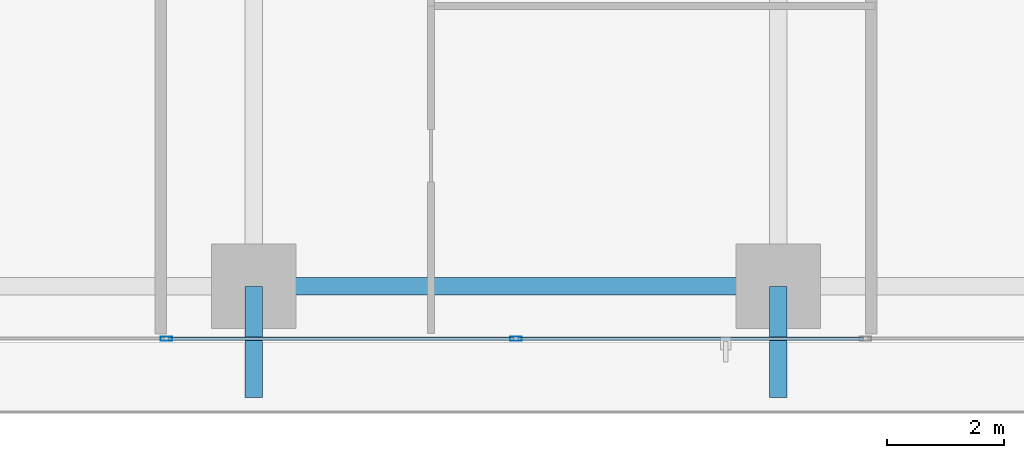
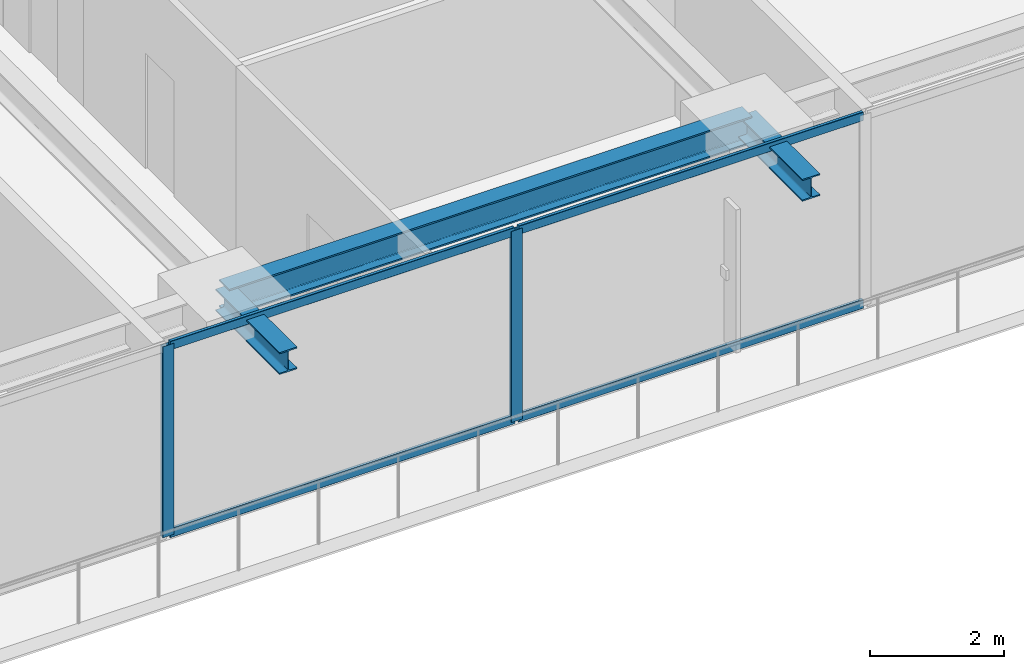
# One storey, part 5 of 38: 6 members, 3 beams, 1 element without a shape of its own.
"""IFC4 building model written with IfcOpenShell, lengths in metres."""

from ifc_helpers import new_model, si_unit, direction, frame, origin, origin_2d, place, context, subcontext, project, spatial, hollow_rectangle, i_section, extrude, source, transform, mapped, material, layer, layer_set, material_profile, profile_set, type_object, element, aggregate, save


model = new_model("IFC4")

# Units and contexts
model_context = context("Model", 3, precision=1e-05, world=origin(), true_north=direction((0.0, 1.0)))
body_context = subcontext(model_context, "Body", "Model", "MODEL_VIEW")
ifc_project = project(units=[si_unit("LENGTHUNIT", "METRE"), si_unit("AREAUNIT", "SQUARE_METRE"), si_unit("VOLUMEUNIT", "CUBIC_METRE"), si_unit("PLANEANGLEUNIT", "RADIAN"), si_unit("MASSUNIT", "GRAM", prefix="KILO")], contexts=[model_context])

# Site, building, storey
site_placement = place(None, origin())
site = spatial("IfcSite", under=ifc_project, at=site_placement, CompositionType="ELEMENT")
building_placement = place(site_placement, origin())
building = spatial("IfcBuilding", under=site, at=building_placement, Name="Serunith Strait Residences", CompositionType="ELEMENT")
storey_placement = place(building_placement, frame((0.0, 0.0, 30.449951171875)))
storey = spatial("IfcBuildingStorey", under=building, at=storey_placement, Name="L06", CompositionType="ELEMENT", Elevation=30.449951171875)

# Beams
ifc_material_1 = material(Name="Steel S355J2", Category="steel")
ifc_material_profile_1 = material_profile(ifc_material_1, i_section(OverallWidth=0.300048828125, OverallDepth=0.5, WebThickness=0.014404296875, FlangeThickness=0.028076171875, FilletRadius=0.027099609375, at=origin_2d()), Name="HEB 500")
ifc_profile_set_1 = profile_set([ifc_material_profile_1], Name="Steel S355J2")
beam_type_1 = type_object("IfcBeamType", Name="BM-HEB500", PredefinedType="BEAM", material=ifc_profile_set_1)
shared_shape_1 = source(origin(), body_context, "Body", "SweptSolid", [
    extrude(i_section(OverallWidth=0.300048828125, OverallDepth=0.5, WebThickness=0.014404296875, FlangeThickness=0.028076171875, FilletRadius=0.027099609375, at=origin_2d()), origin(), (0.0, 0.0, 1.0), 9.0),
])
beam_placement = place(storey_placement, frame((27.89990234375, 1.10009765625, 3.237060546875), z_axis=(1.0, 0.0, 0.0), x_axis=(0.0, 1.0, 0.0)))
element("IfcBeam", 1, at=beam_placement, inside=storey, type_object=beam_type_1, Name="L06 Perimeter Ring Beam 02", PredefinedType="BEAM", context=body_context, shape_type="MappedRepresentation", body=[
    mapped(shared_shape_1, transform((0.0, 0.0, 0.0), scale=1.0)),
])
ifc_material_profile_2 = material_profile(ifc_material_1, i_section(OverallWidth=0.300048828125, OverallDepth=0.39990234375, WebThickness=0.013427734375, FlangeThickness=0.02392578125, FilletRadius=0.027099609375, at=origin_2d()), Name="HEB 400")
ifc_profile_set_2 = profile_set([ifc_material_profile_2], Name="Steel S355J2")
beam_type_2 = type_object("IfcBeamType", Name="BM-HEB400", PredefinedType="BEAM", material=ifc_profile_set_2)
shared_shape_2 = source(origin(), body_context, "Body", "SweptSolid", [
    extrude(i_section(OverallWidth=0.300048828125, OverallDepth=0.39990234375, WebThickness=0.013427734375, FlangeThickness=0.02392578125, FilletRadius=0.027099609375, at=origin_2d()), origin(), (0.0, 0.0, 1.0), 1.91015625),
])
for number, where, z_axis, x_axis, name in (
    (2, (27.89990234375, 1.10009765625, 3.257080078125), (0.0, -1.0, 0.0), (1.0, 0.0, 0.0), "L07 Cantilevered Balcony Rib TC-S2"),
    (3, (36.89990234375, 1.10009765625, 3.257080078125), (0.0, -1.0, 0.0), (1.0, 0.0, 0.0), "L07 Cantilevered Balcony Rib TC-S3"),
):
    element("IfcBeam", number, at=place(storey_placement, frame(where, z_axis=z_axis, x_axis=x_axis)), inside=storey, type_object=beam_type_2, Name=name, PredefinedType="BEAM", context=body_context, shape_type="MappedRepresentation", body=[
        mapped(shared_shape_2, transform((0.0, 0.0, 0.0), scale=1.0)),
    ])

# Curtain wall, members
ifc_material_2 = material(Name="Pale-Champagne Anodised Aluminium", Category="aluminium")
ifc_layer = layer(ifc_material_2, 0.199951171875, Name="Pale-Champagne Anodised Aluminium")
ifc_layer_set = layer_set([ifc_layer], Name="Pale-Champagne Anodised Aluminium")
curtain_wall_type = type_object("IfcCurtainWallType", Name="CW-SYS1", PredefinedType="NOTDEFINED", material=ifc_layer_set)
curtain_wall_placement = place(storey_placement, origin())
curtain_wall = element("IfcCurtainWall", 4, at=curtain_wall_placement, inside=storey, type_object=curtain_wall_type, Name="L06 S Unitised Fritted Curtain Wall", PredefinedType="NOTDEFINED")
ifc_material_profile_3 = material_profile(ifc_material_2, hollow_rectangle(XDim=0.070068359375, YDim=0.199951171875, WallThickness=0.00390625, InnerFilletRadius=0.006103515625, OuterFilletRadius=0.010009765625, at=origin_2d()), Name="ALU 200x70x4")
ifc_profile_set_3 = profile_set([ifc_material_profile_3], Name="Pale-Champagne Anodised Aluminium")
member_type_1 = type_object("IfcMemberType", Name="CW-SYS1-MULL", PredefinedType="MULLION", material=ifc_profile_set_3)
shared_shape_3 = source(origin(), body_context, "Body", "SweptSolid", [
    extrude(hollow_rectangle(XDim=0.070068359375, YDim=0.199951171875, WallThickness=0.00390625, InnerFilletRadius=0.006103515625, OuterFilletRadius=0.010009765625, at=origin_2d()), origin(), (0.0, 0.0, 1.0), 3.47509765625),
])
member_1_placement = place(storey_placement, frame((26.39990234375, 0.199951171875, 0.0), z_axis=(0.0, 0.0, 1.0), x_axis=(0.0, 1.0, 0.0)))
member_1 = element("IfcMember", 5, at=member_1_placement, type_object=member_type_1, Name="CW-1 mullion 3", PredefinedType="MULLION", context=body_context, shape_type="MappedRepresentation", body=[
    mapped(shared_shape_3, transform((0.0, 0.0, 0.0), scale=1.0)),
])
member_2_placement = place(storey_placement, frame((32.39990234375, 0.199951171875, 0.0), z_axis=(0.0, 0.0, 1.0), x_axis=(0.0, 1.0, 0.0)))
member_2 = element("IfcMember", 6, at=member_2_placement, type_object=member_type_1, Name="CW-1 mullion 4", PredefinedType="MULLION", context=body_context, shape_type="MappedRepresentation", body=[
    mapped(shared_shape_3, transform((0.0, 0.0, 0.0), scale=1.0)),
])
ifc_material_profile_4 = material_profile(ifc_material_2, hollow_rectangle(XDim=0.06005859375, YDim=0.159912109375, WallThickness=0.00341796875, InnerFilletRadius=0.00537109375, OuterFilletRadius=0.0087890625, at=origin_2d()), Name="ALU 160x60x3.5")
ifc_profile_set_4 = profile_set([ifc_material_profile_4], Name="Pale-Champagne Anodised Aluminium")
member_type_2 = type_object("IfcMemberType", Name="CW-SYS1-TRAN", PredefinedType="USERDEFINED", material=ifc_profile_set_4)
shared_shape_4 = source(origin(), body_context, "Body", "SweptSolid", [
    extrude(hollow_rectangle(XDim=0.06005859375, YDim=0.159912109375, WallThickness=0.00341796875, InnerFilletRadius=0.00537109375, OuterFilletRadius=0.0087890625, at=origin_2d()), origin(), (0.0, 0.0, 1.0), 5.929931640625),
])
member_3_placement = place(storey_placement, frame((26.43505859375, 0.199951171875, 0.030029296875), z_axis=(1.0, 0.0, 0.0), x_axis=(0.0, 1.0, 0.0)))
member_3 = element("IfcMember", 7, at=member_3_placement, type_object=member_type_2, Name="CW-1 transom 3.1", ObjectType="TRANSOM", PredefinedType="USERDEFINED", context=body_context, shape_type="MappedRepresentation", body=[
    mapped(shared_shape_4, transform((0.0, 0.0, 0.0), scale=1.0)),
])
member_4_placement = place(storey_placement, frame((26.43505859375, 0.199951171875, 3.445068359375), z_axis=(1.0, 0.0, 0.0), x_axis=(0.0, 1.0, 0.0)))
member_4 = element("IfcMember", 8, at=member_4_placement, type_object=member_type_2, Name="CW-1 transom 3.2", ObjectType="TRANSOM", PredefinedType="USERDEFINED", context=body_context, shape_type="MappedRepresentation", body=[
    mapped(shared_shape_4, transform((0.0, 0.0, 0.0), scale=1.0)),
])
member_5_placement = place(storey_placement, frame((32.43505859375, 0.199951171875, 0.030029296875), z_axis=(1.0, 0.0, 0.0), x_axis=(0.0, 1.0, 0.0)))
member_5 = element("IfcMember", 9, at=member_5_placement, type_object=member_type_2, Name="CW-1 transom 4.1", ObjectType="TRANSOM", PredefinedType="USERDEFINED", context=body_context, shape_type="MappedRepresentation", body=[
    mapped(shared_shape_4, transform((0.0, 0.0, 0.0), scale=1.0)),
])
member_6_placement = place(storey_placement, frame((32.43505859375, 0.199951171875, 3.445068359375), z_axis=(1.0, 0.0, 0.0), x_axis=(0.0, 1.0, 0.0)))
member_6 = element("IfcMember", 10, at=member_6_placement, type_object=member_type_2, Name="CW-1 transom 4.2", ObjectType="TRANSOM", PredefinedType="USERDEFINED", context=body_context, shape_type="MappedRepresentation", body=[
    mapped(shared_shape_4, transform((0.0, 0.0, 0.0), scale=1.0)),
])
aggregate(curtain_wall, [member_1, member_2, member_3, member_4, member_5, member_6])

save(model, "model.ifc")
